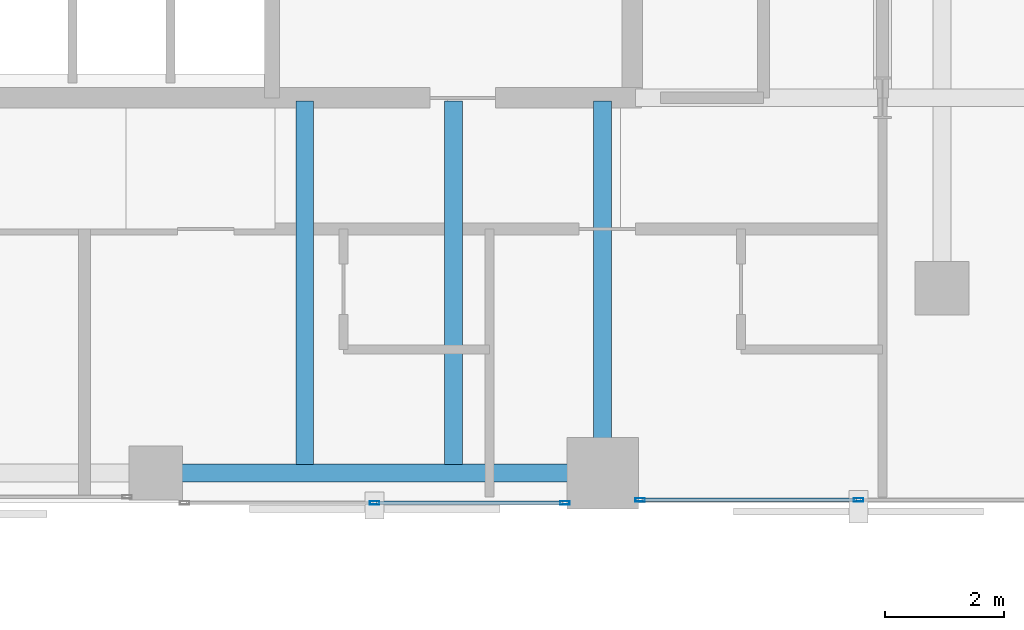
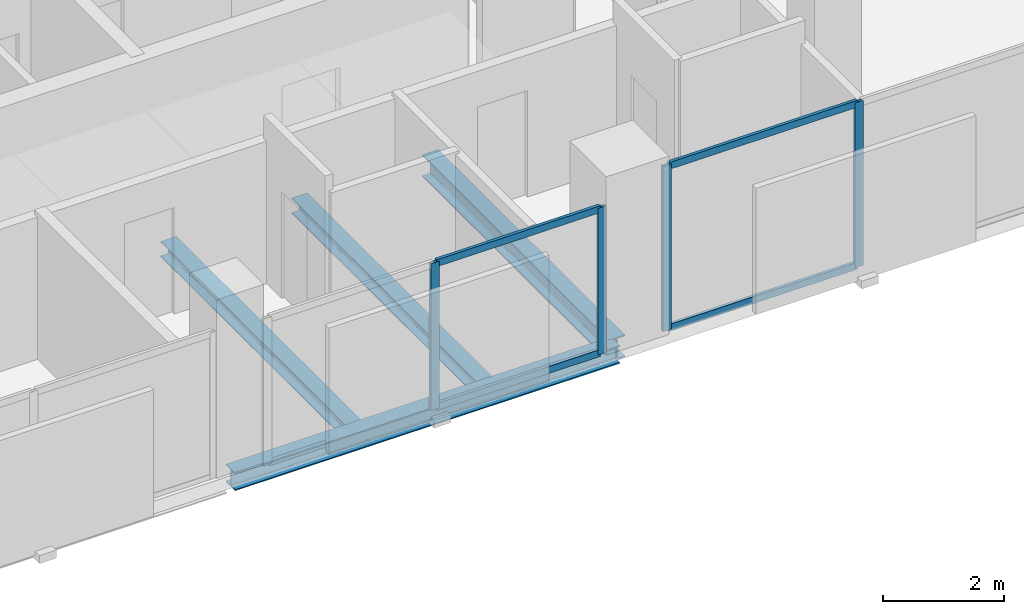
# One storey, part 14 of 34: 8 members, 4 beams, 2 elements without a shape of their own.
"""IFC4 building model written with IfcOpenShell, lengths in metres."""

from ifc_helpers import new_model, si_unit, direction, frame, origin, origin_2d, place, context, subcontext, project, spatial, hollow_rectangle, i_section, extrude, material, layer, layer_set, material_profile, profile_set, type_object, element, aggregate, save


model = new_model("IFC4")

# Units and contexts
model_context = context("Model", 3, precision=1e-05, world=origin(), true_north=direction((0.0, 1.0)))
body_context = subcontext(model_context, "Body", "Model", "MODEL_VIEW")
ifc_project = project(units=[si_unit("LENGTHUNIT", "METRE"), si_unit("AREAUNIT", "SQUARE_METRE"), si_unit("VOLUMEUNIT", "CUBIC_METRE"), si_unit("PLANEANGLEUNIT", "RADIAN"), si_unit("MASSUNIT", "GRAM", prefix="KILO")], contexts=[model_context])

# Site, building, storey
site_placement = place(None, origin())
site = spatial("IfcSite", under=ifc_project, at=site_placement, CompositionType="ELEMENT")
building_placement = place(site_placement, origin())
building = spatial("IfcBuilding", under=site, at=building_placement, Name="Catumbela Crestline Tower", CompositionType="ELEMENT")
storey_placement = place(building_placement, frame((0.0, 0.0, 111.6)))
storey = spatial("IfcBuildingStorey", under=building, at=storey_placement, Name="L28", CompositionType="ELEMENT", Elevation=111.6)

# Beams
ifc_material_1 = material(Name="Structural steel S355J2", Category="steel")
ifc_material_profile_1 = material_profile(ifc_material_1, i_section(OverallWidth=0.3, OverallDepth=0.45, WebThickness=0.014, FlangeThickness=0.026, FilletRadius=0.027, at=origin_2d()), Name="HEB 450")
ifc_profile_set_1 = profile_set([ifc_material_profile_1], Name="Structural steel S355J2")
beam_type_1 = type_object("IfcBeamType", Name="BG-HEB450", PredefinedType="BEAM", material=ifc_profile_set_1)
beam_1_placement = place(storey_placement, frame((39.5, 24.58, -0.485), z_axis=(0.0, 1.0, 0.0), x_axis=(-1.0, 0.0, 0.0)))
element("IfcBeam", 1, at=beam_1_placement, inside=storey, type_object=beam_type_1, Name="L28 Beam BM-L28-SNS31", PredefinedType="BEAM", context=body_context, shape_type="SweptSolid", body=[
    extrude(i_section(OverallWidth=0.3, OverallDepth=0.45, WebThickness=0.014, FlangeThickness=0.026, FilletRadius=0.027, at=origin_2d()), origin(), (0.0, 0.0, 1.0), 6.17),
])
ifc_material_profile_2 = material_profile(ifc_material_1, i_section(OverallWidth=0.3, OverallDepth=0.31, WebThickness=0.009, FlangeThickness=0.0155, FilletRadius=0.027, at=origin_2d()), Name="HEA 320")
ifc_profile_set_2 = profile_set([ifc_material_profile_2], Name="Structural steel S355J2")
beam_type_2 = type_object("IfcBeamType", Name="BJ-HEA320", PredefinedType="JOIST", material=ifc_profile_set_2)
for number, where, z_axis, x_axis, name in (
    (2, (34.5, 24.647, -0.415), (0.0, 1.0, 0.0), (-1.0, 0.0, 0.0), "L28 Joist JS-L28-SP41"),
    (3, (37.0, 24.647, -0.415), (0.0, 1.0, 0.0), (-1.0, 0.0, 0.0), "L28 Joist JS-L28-SP42"),
):
    element("IfcBeam", number, at=place(storey_placement, frame(where, z_axis=z_axis, x_axis=x_axis)), inside=storey, type_object=beam_type_2, Name=name, PredefinedType="JOIST", context=body_context, shape_type="SweptSolid", body=[
        extrude(i_section(OverallWidth=0.3, OverallDepth=0.31, WebThickness=0.009, FlangeThickness=0.0155, FilletRadius=0.027, at=origin_2d()), origin(), (0.0, 0.0, 1.0), 6.103),
    ])

# Curtain wall, members
ifc_material_2 = material(Name="Aluminium alloy AW-6060-T66", Category="aluminium")
ifc_layer = layer(ifc_material_2, 0.18, Name="Aluminium alloy AW-6060-T66")
ifc_layer_set = layer_set([ifc_layer], Name="Aluminium alloy AW-6060-T66")
curtain_wall_type = type_object("IfcCurtainWallType", Name="CWU-Z2", PredefinedType="USERDEFINED", material=ifc_layer_set)
curtain_wall_1_placement = place(storey_placement, origin())
curtain_wall_1 = element("IfcCurtainWall", 4, at=curtain_wall_1_placement, inside=storey, type_object=curtain_wall_type, Name="L28 Unitised Curtain Wall CW-L28-E3S2", ObjectType="UNITISED", PredefinedType="USERDEFINED")
ifc_material_profile_3 = material_profile(ifc_material_2, hollow_rectangle(XDim=0.06, YDim=0.16, WallThickness=0.004, at=origin_2d()), Name="ALU 160x60x4")
ifc_profile_set_3 = profile_set([ifc_material_profile_3], Name="Aluminium alloy AW-6060-T66")
member_type_1 = type_object("IfcMemberType", Name="MUL-160X60", PredefinedType="MULLION", material=ifc_profile_set_3)
member_1_placement = place(storey_placement, frame((35.675, 24.0, 0.0), z_axis=(0.0, 0.0, 1.0), x_axis=(0.0, 1.0, 0.0)))
member_1 = element("IfcMember", 5, at=member_1_placement, type_object=member_type_1, Name="CWU-Z2 mullion 2", PredefinedType="MULLION", context=body_context, shape_type="SweptSolid", body=[
    extrude(hollow_rectangle(XDim=0.06, YDim=0.16, WallThickness=0.004, at=origin_2d()), origin(), (0.0, 0.0, 1.0), 2.96),
])
member_2_placement = place(storey_placement, frame((38.8675, 24.0, 0.0), z_axis=(0.0, 0.0, 1.0), x_axis=(0.0, 1.0, 0.0)))
member_2 = element("IfcMember", 6, at=member_2_placement, type_object=member_type_1, Name="CWU-Z2 mullion 3", PredefinedType="MULLION", context=body_context, shape_type="SweptSolid", body=[
    extrude(hollow_rectangle(XDim=0.06, YDim=0.16, WallThickness=0.004, at=origin_2d()), origin(), (0.0, 0.0, 1.0), 2.96),
])

curtain_wall_2_placement = place(storey_placement, origin())
curtain_wall_2 = element("IfcCurtainWall", 7, at=curtain_wall_2_placement, inside=storey, type_object=curtain_wall_type, Name="L28 Unitised Curtain Wall CW-L28-E3S3", ObjectType="UNITISED", PredefinedType="USERDEFINED")
member_3_placement = place(storey_placement, frame((40.1325, 24.05, 0.0), z_axis=(0.0, 0.0, 1.0), x_axis=(0.0, 1.0, 0.0)))
member_3 = element("IfcMember", 8, at=member_3_placement, type_object=member_type_1, Name="CWU-Z2 mullion 1", PredefinedType="MULLION", context=body_context, shape_type="SweptSolid", body=[
    extrude(hollow_rectangle(XDim=0.06, YDim=0.16, WallThickness=0.004, at=origin_2d()), origin(), (0.0, 0.0, 1.0), 3.33),
])
member_4_placement = place(storey_placement, frame((43.8, 24.05, 0.0), z_axis=(0.0, 0.0, 1.0), x_axis=(0.0, 1.0, 0.0)))
member_4 = element("IfcMember", 9, at=member_4_placement, type_object=member_type_1, Name="CWU-Z2 mullion 2", PredefinedType="MULLION", context=body_context, shape_type="SweptSolid", body=[
    extrude(hollow_rectangle(XDim=0.06, YDim=0.16, WallThickness=0.004, at=origin_2d()), origin(), (0.0, 0.0, 1.0), 3.33),
])

# Beam
ifc_material_profile_4 = material_profile(ifc_material_1, i_section(OverallWidth=0.3, OverallDepth=0.36, WebThickness=0.0125, FlangeThickness=0.0225, FilletRadius=0.027, at=origin_2d()), Name="HEB 360")
ifc_profile_set_4 = profile_set([ifc_material_profile_4], Name="Structural steel S355J2")
beam_type_3 = type_object("IfcBeamType", Name="BS-HEB360", PredefinedType="SPANDREL", material=ifc_profile_set_4)
beam_2_placement = place(storey_placement, frame((32.08, 24.5, -0.44), z_axis=(1.0, 0.0, 0.0), x_axis=(0.0, 1.0, 0.0)))
element("IfcBeam", 10, at=beam_2_placement, inside=storey, type_object=beam_type_3, Name="L28 Spandrel SP-L28-S06", PredefinedType="SPANDREL", context=body_context, shape_type="SweptSolid", body=[
    extrude(i_section(OverallWidth=0.3, OverallDepth=0.36, WebThickness=0.0125, FlangeThickness=0.0225, FilletRadius=0.027, at=origin_2d()), origin(), (0.0, 0.0, 1.0), 7.34),
])

# Member
ifc_material_profile_5 = material_profile(ifc_material_2, hollow_rectangle(XDim=0.06, YDim=0.14, WallThickness=0.004, at=origin_2d()), Name="ALU 140x60x4")
ifc_profile_set_5 = profile_set([ifc_material_profile_5], Name="Aluminium alloy AW-6060-T66")
member_type_2 = type_object("IfcMemberType", Name="TRN-140X60", PredefinedType="USERDEFINED", material=ifc_profile_set_5)
member_5_placement = place(storey_placement, frame((35.7075, 24.0, 0.03), z_axis=(1.0, 0.0, 0.0), x_axis=(0.0, 1.0, 0.0)))
member_5 = element("IfcMember", 11, at=member_5_placement, type_object=member_type_2, Name="CWU-Z2 transom 2.1", ObjectType="TRANSOM", PredefinedType="USERDEFINED", context=body_context, shape_type="SweptSolid", body=[
    extrude(hollow_rectangle(XDim=0.06, YDim=0.14, WallThickness=0.004, at=origin_2d()), origin(), (0.0, 0.0, 1.0), 3.1275),
])

member_6_placement = place(storey_placement, frame((35.7075, 24.0, 2.93), z_axis=(1.0, 0.0, 0.0), x_axis=(0.0, 1.0, 0.0)))
member_6 = element("IfcMember", 12, at=member_6_placement, type_object=member_type_2, Name="CWU-Z2 transom 2.2", ObjectType="TRANSOM", PredefinedType="USERDEFINED", context=body_context, shape_type="SweptSolid", body=[
    extrude(hollow_rectangle(XDim=0.06, YDim=0.14, WallThickness=0.004, at=origin_2d()), origin(), (0.0, 0.0, 1.0), 3.1275),
])

aggregate(curtain_wall_1, [member_1, member_2, member_5, member_6])

member_7_placement = place(storey_placement, frame((40.165, 24.05, 0.03), z_axis=(1.0, 0.0, 0.0), x_axis=(0.0, 1.0, 0.0)))
member_7 = element("IfcMember", 13, at=member_7_placement, type_object=member_type_2, Name="CWU-Z2 transom 1.1", ObjectType="TRANSOM", PredefinedType="USERDEFINED", context=body_context, shape_type="SweptSolid", body=[
    extrude(hollow_rectangle(XDim=0.06, YDim=0.14, WallThickness=0.004, at=origin_2d()), origin(), (0.0, 0.0, 1.0), 3.6025),
])

member_8_placement = place(storey_placement, frame((40.165, 24.05, 3.3), z_axis=(1.0, 0.0, 0.0), x_axis=(0.0, 1.0, 0.0)))
member_8 = element("IfcMember", 14, at=member_8_placement, type_object=member_type_2, Name="CWU-Z2 transom 1.2", ObjectType="TRANSOM", PredefinedType="USERDEFINED", context=body_context, shape_type="SweptSolid", body=[
    extrude(hollow_rectangle(XDim=0.06, YDim=0.14, WallThickness=0.004, at=origin_2d()), origin(), (0.0, 0.0, 1.0), 3.6025),
])

aggregate(curtain_wall_2, [member_3, member_4, member_7, member_8])

save(model, "model.ifc")
